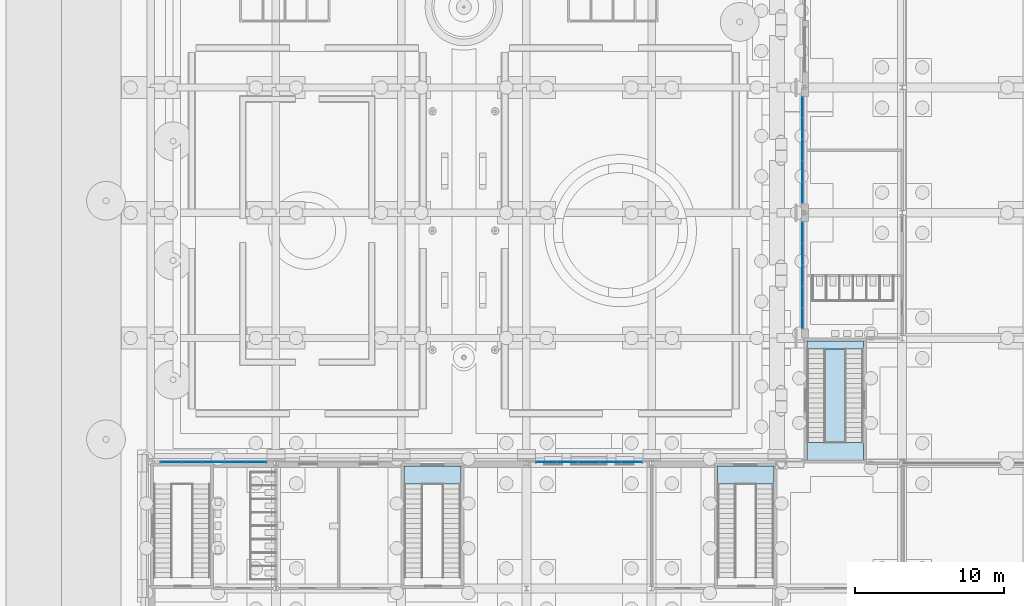
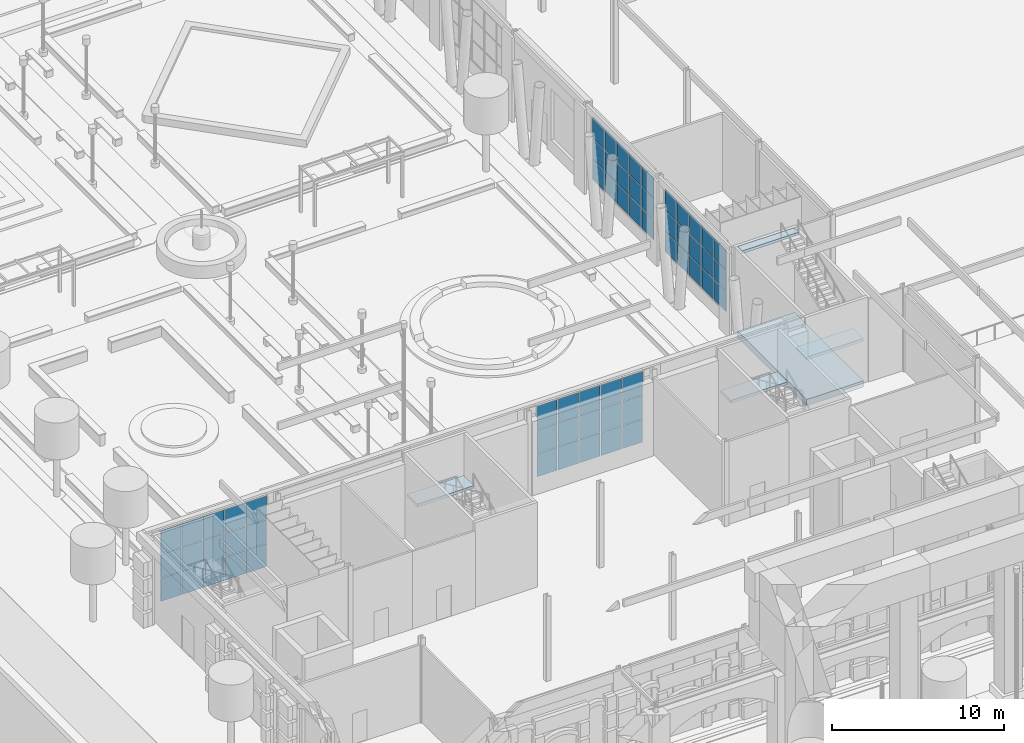
# One storey, part 77 of 222: 60 plates, 5 slabs, 7 elements without a shape of their own.
"""IFC4 building model written with IfcOpenShell, lengths in metres."""

from ifc_helpers import new_model, si_unit, direction, frame, origin, origin_2d, place, context, subcontext, project, spatial, polyline, rectangle, outline, extrude, material, layer, layer_set, type_object, element, aggregate, save


model = new_model("IFC4")

# Units and contexts
model_context = context("Model", 3, precision=1e-05, world=origin(), true_north=direction((0.0, 1.0)))
body_context = subcontext(model_context, "Body", "Model", "MODEL_VIEW")
ifc_project = project(units=[si_unit("LENGTHUNIT", "METRE"), si_unit("AREAUNIT", "SQUARE_METRE"), si_unit("VOLUMEUNIT", "CUBIC_METRE"), si_unit("PLANEANGLEUNIT", "RADIAN"), si_unit("MASSUNIT", "GRAM", prefix="KILO")], contexts=[model_context])

# Site, building, storey
site_placement = place(None, origin())
site = spatial("IfcSite", under=ifc_project, at=site_placement, CompositionType="ELEMENT")
building_placement = place(site_placement, origin())
building = spatial("IfcBuilding", under=site, at=building_placement, Name="Sava Quay Ferry Terminal", CompositionType="ELEMENT")
storey_placement = place(building_placement, origin())
storey = spatial("IfcBuildingStorey", under=building, at=storey_placement, Name="L00", CompositionType="ELEMENT", Elevation=0.0)

# Curtain wall, plates
ifc_material_1 = material(Name="Aluminium and glass curtain wall, double low-e glazed", Category="aluminium")
curtain_wall_type = type_object("IfcCurtainWallType", Name="Curtain wall CW-F flank", PredefinedType="NOTDEFINED", material=ifc_material_1)
curtain_wall_1_placement = place(storey_placement, origin())
curtain_wall_1 = element("IfcCurtainWall", 1, at=curtain_wall_1_placement, inside=storey, type_object=curtain_wall_type, Name="Curtain wall D-W L00 bay 2", PredefinedType="NOTDEFINED")
ifc_material_2 = material(Name="Laminated glass, double low-e glazed unit", Category="glass")
ifc_layer_1 = layer(ifc_material_2, 0.028076171875)
ifc_layer_set_1 = layer_set([ifc_layer_1], Name="Laminated glass, double low-e glazed unit")
plate_type = type_object("IfcPlateType", Name="Glass panel 28 double low-e", PredefinedType="CURTAIN_PANEL", material=ifc_layer_set_1)
plate_1_placement = place(storey_placement, frame((43.72509765625, 60.135009765625, 0.9501953125), z_axis=(0.0, 0.0, 1.0), x_axis=(0.0, 1.0, 0.0)))
plate_1 = element("IfcPlate", 2, at=plate_1_placement, type_object=plate_type, Name="CW99 panel 1.1", PredefinedType="CURTAIN_PANEL", context=body_context, shape_type="SweptSolid", body=[
    extrude(rectangle(XDim=1.35009765625, YDim=0.028076171875, at=origin_2d()), origin(), (0.0, 0.0, 1.0), 1.425048828125),
])
plate_2_placement = place(storey_placement, frame((43.72509765625, 60.135009765625, 2.4248046875), z_axis=(0.0, 0.0, 1.0), x_axis=(0.0, 1.0, 0.0)))
plate_2 = element("IfcPlate", 3, at=plate_2_placement, type_object=plate_type, Name="CW99 panel 1.2", PredefinedType="CURTAIN_PANEL", context=body_context, shape_type="SweptSolid", body=[
    extrude(rectangle(XDim=1.35009765625, YDim=0.028076171875, at=origin_2d()), origin(), (0.0, 0.0, 1.0), 1.449951171875),
])
plate_3_placement = place(storey_placement, frame((43.72509765625, 60.135009765625, 3.9248046875), z_axis=(0.0, 0.0, 1.0), x_axis=(0.0, 1.0, 0.0)))
plate_3 = element("IfcPlate", 4, at=plate_3_placement, type_object=plate_type, Name="CW99 panel 1.3", PredefinedType="CURTAIN_PANEL", context=body_context, shape_type="SweptSolid", body=[
    extrude(rectangle(XDim=1.35009765625, YDim=0.028076171875, at=origin_2d()), origin(), (0.0, 0.0, 1.0), 1.425048828125),
])
plate_4_placement = place(storey_placement, frame((43.72509765625, 61.56005859375, 0.9501953125), z_axis=(0.0, 0.0, 1.0), x_axis=(0.0, 1.0, 0.0)))
plate_4 = element("IfcPlate", 5, at=plate_4_placement, type_object=plate_type, Name="CW99 panel 2.1", PredefinedType="CURTAIN_PANEL", context=body_context, shape_type="SweptSolid", body=[
    extrude(rectangle(XDim=1.3798828125, YDim=0.028076171875, at=origin_2d()), origin(), (0.0, 0.0, 1.0), 1.425048828125),
])
plate_5_placement = place(storey_placement, frame((43.72509765625, 61.56005859375, 2.4248046875), z_axis=(0.0, 0.0, 1.0), x_axis=(0.0, 1.0, 0.0)))
plate_5 = element("IfcPlate", 6, at=plate_5_placement, type_object=plate_type, Name="CW99 panel 2.2", PredefinedType="CURTAIN_PANEL", context=body_context, shape_type="SweptSolid", body=[
    extrude(rectangle(XDim=1.3798828125, YDim=0.028076171875, at=origin_2d()), origin(), (0.0, 0.0, 1.0), 1.449951171875),
])
plate_6_placement = place(storey_placement, frame((43.72509765625, 61.56005859375, 3.9248046875), z_axis=(0.0, 0.0, 1.0), x_axis=(0.0, 1.0, 0.0)))
plate_6 = element("IfcPlate", 7, at=plate_6_placement, type_object=plate_type, Name="CW99 panel 2.3", PredefinedType="CURTAIN_PANEL", context=body_context, shape_type="SweptSolid", body=[
    extrude(rectangle(XDim=1.3798828125, YDim=0.028076171875, at=origin_2d()), origin(), (0.0, 0.0, 1.0), 1.425048828125),
])
plate_7_placement = place(storey_placement, frame((43.72509765625, 63.0, 0.9501953125), z_axis=(0.0, 0.0, 1.0), x_axis=(0.0, 1.0, 0.0)))
plate_7 = element("IfcPlate", 8, at=plate_7_placement, type_object=plate_type, Name="CW99 panel 3.1", PredefinedType="CURTAIN_PANEL", context=body_context, shape_type="SweptSolid", body=[
    extrude(rectangle(XDim=1.3798828125, YDim=0.028076171875, at=origin_2d()), origin(), (0.0, 0.0, 1.0), 1.425048828125),
])
plate_8_placement = place(storey_placement, frame((43.72509765625, 63.0, 2.4248046875), z_axis=(0.0, 0.0, 1.0), x_axis=(0.0, 1.0, 0.0)))
plate_8 = element("IfcPlate", 9, at=plate_8_placement, type_object=plate_type, Name="CW99 panel 3.2", PredefinedType="CURTAIN_PANEL", context=body_context, shape_type="SweptSolid", body=[
    extrude(rectangle(XDim=1.3798828125, YDim=0.028076171875, at=origin_2d()), origin(), (0.0, 0.0, 1.0), 1.449951171875),
])
plate_9_placement = place(storey_placement, frame((43.72509765625, 63.0, 3.9248046875), z_axis=(0.0, 0.0, 1.0), x_axis=(0.0, 1.0, 0.0)))
plate_9 = element("IfcPlate", 10, at=plate_9_placement, type_object=plate_type, Name="CW99 panel 3.3", PredefinedType="CURTAIN_PANEL", context=body_context, shape_type="SweptSolid", body=[
    extrude(rectangle(XDim=1.3798828125, YDim=0.028076171875, at=origin_2d()), origin(), (0.0, 0.0, 1.0), 1.425048828125),
])
plate_10_placement = place(storey_placement, frame((43.72509765625, 64.43994140625, 0.9501953125), z_axis=(0.0, 0.0, 1.0), x_axis=(0.0, 1.0, 0.0)))
plate_10 = element("IfcPlate", 11, at=plate_10_placement, type_object=plate_type, Name="CW99 panel 4.1", PredefinedType="CURTAIN_PANEL", context=body_context, shape_type="SweptSolid", body=[
    extrude(rectangle(XDim=1.3798828125, YDim=0.028076171875, at=origin_2d()), origin(), (0.0, 0.0, 1.0), 1.425048828125),
])
plate_11_placement = place(storey_placement, frame((43.72509765625, 64.43994140625, 2.4248046875), z_axis=(0.0, 0.0, 1.0), x_axis=(0.0, 1.0, 0.0)))
plate_11 = element("IfcPlate", 12, at=plate_11_placement, type_object=plate_type, Name="CW99 panel 4.2", PredefinedType="CURTAIN_PANEL", context=body_context, shape_type="SweptSolid", body=[
    extrude(rectangle(XDim=1.3798828125, YDim=0.028076171875, at=origin_2d()), origin(), (0.0, 0.0, 1.0), 1.449951171875),
])
plate_12_placement = place(storey_placement, frame((43.72509765625, 64.43994140625, 3.9248046875), z_axis=(0.0, 0.0, 1.0), x_axis=(0.0, 1.0, 0.0)))
plate_12 = element("IfcPlate", 13, at=plate_12_placement, type_object=plate_type, Name="CW99 panel 4.3", PredefinedType="CURTAIN_PANEL", context=body_context, shape_type="SweptSolid", body=[
    extrude(rectangle(XDim=1.3798828125, YDim=0.028076171875, at=origin_2d()), origin(), (0.0, 0.0, 1.0), 1.425048828125),
])
plate_13_placement = place(storey_placement, frame((43.72509765625, 65.864990234375, 0.9501953125), z_axis=(0.0, 0.0, 1.0), x_axis=(0.0, 1.0, 0.0)))
plate_13 = element("IfcPlate", 14, at=plate_13_placement, type_object=plate_type, Name="CW99 panel 5.1", PredefinedType="CURTAIN_PANEL", context=body_context, shape_type="SweptSolid", body=[
    extrude(rectangle(XDim=1.35009765625, YDim=0.028076171875, at=origin_2d()), origin(), (0.0, 0.0, 1.0), 1.425048828125),
])
plate_14_placement = place(storey_placement, frame((43.72509765625, 65.864990234375, 2.4248046875), z_axis=(0.0, 0.0, 1.0), x_axis=(0.0, 1.0, 0.0)))
plate_14 = element("IfcPlate", 15, at=plate_14_placement, type_object=plate_type, Name="CW99 panel 5.2", PredefinedType="CURTAIN_PANEL", context=body_context, shape_type="SweptSolid", body=[
    extrude(rectangle(XDim=1.35009765625, YDim=0.028076171875, at=origin_2d()), origin(), (0.0, 0.0, 1.0), 1.449951171875),
])
plate_15_placement = place(storey_placement, frame((43.72509765625, 65.864990234375, 3.9248046875), z_axis=(0.0, 0.0, 1.0), x_axis=(0.0, 1.0, 0.0)))
plate_15 = element("IfcPlate", 16, at=plate_15_placement, type_object=plate_type, Name="CW99 panel 5.3", PredefinedType="CURTAIN_PANEL", context=body_context, shape_type="SweptSolid", body=[
    extrude(rectangle(XDim=1.35009765625, YDim=0.028076171875, at=origin_2d()), origin(), (0.0, 0.0, 1.0), 1.425048828125),
])
aggregate(curtain_wall_1, [plate_1, plate_2, plate_3, plate_4, plate_5, plate_6, plate_7, plate_8, plate_9, plate_10, plate_11, plate_12, plate_13, plate_14, plate_15])

curtain_wall_2_placement = place(storey_placement, origin())
curtain_wall_2 = element("IfcCurtainWall", 17, at=curtain_wall_2_placement, inside=storey, type_object=curtain_wall_type, Name="Curtain wall D-W L00 bay 3", PredefinedType="NOTDEFINED")
plate_16_placement = place(storey_placement, frame((43.72509765625, 68.534912109375, 0.9501953125), z_axis=(0.0, 0.0, 1.0), x_axis=(0.0, 1.0, 0.0)))
plate_16 = element("IfcPlate", 18, at=plate_16_placement, type_object=plate_type, Name="CW103 panel 1.1", PredefinedType="CURTAIN_PANEL", context=body_context, shape_type="SweptSolid", body=[
    extrude(rectangle(XDim=1.35009765625, YDim=0.028076171875, at=origin_2d()), origin(), (0.0, 0.0, 1.0), 1.425048828125),
])
plate_17_placement = place(storey_placement, frame((43.72509765625, 68.534912109375, 2.4248046875), z_axis=(0.0, 0.0, 1.0), x_axis=(0.0, 1.0, 0.0)))
plate_17 = element("IfcPlate", 19, at=plate_17_placement, type_object=plate_type, Name="CW103 panel 1.2", PredefinedType="CURTAIN_PANEL", context=body_context, shape_type="SweptSolid", body=[
    extrude(rectangle(XDim=1.35009765625, YDim=0.028076171875, at=origin_2d()), origin(), (0.0, 0.0, 1.0), 1.449951171875),
])
plate_18_placement = place(storey_placement, frame((43.72509765625, 68.534912109375, 3.9248046875), z_axis=(0.0, 0.0, 1.0), x_axis=(0.0, 1.0, 0.0)))
plate_18 = element("IfcPlate", 20, at=plate_18_placement, type_object=plate_type, Name="CW103 panel 1.3", PredefinedType="CURTAIN_PANEL", context=body_context, shape_type="SweptSolid", body=[
    extrude(rectangle(XDim=1.35009765625, YDim=0.028076171875, at=origin_2d()), origin(), (0.0, 0.0, 1.0), 1.425048828125),
])
plate_19_placement = place(storey_placement, frame((43.72509765625, 69.9599609375, 0.9501953125), z_axis=(0.0, 0.0, 1.0), x_axis=(0.0, 1.0, 0.0)))
plate_19 = element("IfcPlate", 21, at=plate_19_placement, type_object=plate_type, Name="CW103 panel 2.1", PredefinedType="CURTAIN_PANEL", context=body_context, shape_type="SweptSolid", body=[
    extrude(rectangle(XDim=1.3798828125, YDim=0.028076171875, at=origin_2d()), origin(), (0.0, 0.0, 1.0), 1.425048828125),
])
plate_20_placement = place(storey_placement, frame((43.72509765625, 69.9599609375, 2.4248046875), z_axis=(0.0, 0.0, 1.0), x_axis=(0.0, 1.0, 0.0)))
plate_20 = element("IfcPlate", 22, at=plate_20_placement, type_object=plate_type, Name="CW103 panel 2.2", PredefinedType="CURTAIN_PANEL", context=body_context, shape_type="SweptSolid", body=[
    extrude(rectangle(XDim=1.3798828125, YDim=0.028076171875, at=origin_2d()), origin(), (0.0, 0.0, 1.0), 1.449951171875),
])
plate_21_placement = place(storey_placement, frame((43.72509765625, 69.9599609375, 3.9248046875), z_axis=(0.0, 0.0, 1.0), x_axis=(0.0, 1.0, 0.0)))
plate_21 = element("IfcPlate", 23, at=plate_21_placement, type_object=plate_type, Name="CW103 panel 2.3", PredefinedType="CURTAIN_PANEL", context=body_context, shape_type="SweptSolid", body=[
    extrude(rectangle(XDim=1.3798828125, YDim=0.028076171875, at=origin_2d()), origin(), (0.0, 0.0, 1.0), 1.425048828125),
])
plate_22_placement = place(storey_placement, frame((43.72509765625, 71.39990234375, 0.9501953125), z_axis=(0.0, 0.0, 1.0), x_axis=(0.0, 1.0, 0.0)))
plate_22 = element("IfcPlate", 24, at=plate_22_placement, type_object=plate_type, Name="CW103 panel 3.1", PredefinedType="CURTAIN_PANEL", context=body_context, shape_type="SweptSolid", body=[
    extrude(rectangle(XDim=1.3798828125, YDim=0.028076171875, at=origin_2d()), origin(), (0.0, 0.0, 1.0), 1.425048828125),
])
plate_23_placement = place(storey_placement, frame((43.72509765625, 71.39990234375, 2.4248046875), z_axis=(0.0, 0.0, 1.0), x_axis=(0.0, 1.0, 0.0)))
plate_23 = element("IfcPlate", 25, at=plate_23_placement, type_object=plate_type, Name="CW103 panel 3.2", PredefinedType="CURTAIN_PANEL", context=body_context, shape_type="SweptSolid", body=[
    extrude(rectangle(XDim=1.3798828125, YDim=0.028076171875, at=origin_2d()), origin(), (0.0, 0.0, 1.0), 1.449951171875),
])
plate_24_placement = place(storey_placement, frame((43.72509765625, 71.39990234375, 3.9248046875), z_axis=(0.0, 0.0, 1.0), x_axis=(0.0, 1.0, 0.0)))
plate_24 = element("IfcPlate", 26, at=plate_24_placement, type_object=plate_type, Name="CW103 panel 3.3", PredefinedType="CURTAIN_PANEL", context=body_context, shape_type="SweptSolid", body=[
    extrude(rectangle(XDim=1.3798828125, YDim=0.028076171875, at=origin_2d()), origin(), (0.0, 0.0, 1.0), 1.425048828125),
])
plate_25_placement = place(storey_placement, frame((43.72509765625, 72.840087890625, 0.9501953125), z_axis=(0.0, 0.0, 1.0), x_axis=(0.0, 1.0, 0.0)))
plate_25 = element("IfcPlate", 27, at=plate_25_placement, type_object=plate_type, Name="CW103 panel 4.1", PredefinedType="CURTAIN_PANEL", context=body_context, shape_type="SweptSolid", body=[
    extrude(rectangle(XDim=1.3798828125, YDim=0.028076171875, at=origin_2d()), origin(), (0.0, 0.0, 1.0), 1.425048828125),
])
plate_26_placement = place(storey_placement, frame((43.72509765625, 72.840087890625, 2.4248046875), z_axis=(0.0, 0.0, 1.0), x_axis=(0.0, 1.0, 0.0)))
plate_26 = element("IfcPlate", 28, at=plate_26_placement, type_object=plate_type, Name="CW103 panel 4.2", PredefinedType="CURTAIN_PANEL", context=body_context, shape_type="SweptSolid", body=[
    extrude(rectangle(XDim=1.3798828125, YDim=0.028076171875, at=origin_2d()), origin(), (0.0, 0.0, 1.0), 1.449951171875),
])
plate_27_placement = place(storey_placement, frame((43.72509765625, 72.840087890625, 3.9248046875), z_axis=(0.0, 0.0, 1.0), x_axis=(0.0, 1.0, 0.0)))
plate_27 = element("IfcPlate", 29, at=plate_27_placement, type_object=plate_type, Name="CW103 panel 4.3", PredefinedType="CURTAIN_PANEL", context=body_context, shape_type="SweptSolid", body=[
    extrude(rectangle(XDim=1.3798828125, YDim=0.028076171875, at=origin_2d()), origin(), (0.0, 0.0, 1.0), 1.425048828125),
])
plate_28_placement = place(storey_placement, frame((43.72509765625, 74.264892578125, 0.9501953125), z_axis=(0.0, 0.0, 1.0), x_axis=(0.0, 1.0, 0.0)))
plate_28 = element("IfcPlate", 30, at=plate_28_placement, type_object=plate_type, Name="CW103 panel 5.1", PredefinedType="CURTAIN_PANEL", context=body_context, shape_type="SweptSolid", body=[
    extrude(rectangle(XDim=1.35009765625, YDim=0.028076171875, at=origin_2d()), origin(), (0.0, 0.0, 1.0), 1.425048828125),
])
plate_29_placement = place(storey_placement, frame((43.72509765625, 74.264892578125, 2.4248046875), z_axis=(0.0, 0.0, 1.0), x_axis=(0.0, 1.0, 0.0)))
plate_29 = element("IfcPlate", 31, at=plate_29_placement, type_object=plate_type, Name="CW103 panel 5.2", PredefinedType="CURTAIN_PANEL", context=body_context, shape_type="SweptSolid", body=[
    extrude(rectangle(XDim=1.35009765625, YDim=0.028076171875, at=origin_2d()), origin(), (0.0, 0.0, 1.0), 1.449951171875),
])
plate_30_placement = place(storey_placement, frame((43.72509765625, 74.264892578125, 3.9248046875), z_axis=(0.0, 0.0, 1.0), x_axis=(0.0, 1.0, 0.0)))
plate_30 = element("IfcPlate", 32, at=plate_30_placement, type_object=plate_type, Name="CW103 panel 5.3", PredefinedType="CURTAIN_PANEL", context=body_context, shape_type="SweptSolid", body=[
    extrude(rectangle(XDim=1.35009765625, YDim=0.028076171875, at=origin_2d()), origin(), (0.0, 0.0, 1.0), 1.425048828125),
])
aggregate(curtain_wall_2, [plate_16, plate_17, plate_18, plate_19, plate_20, plate_21, plate_22, plate_23, plate_24, plate_25, plate_26, plate_27, plate_28, plate_29, plate_30])

curtain_wall_3_placement = place(storey_placement, origin())
curtain_wall_3 = element("IfcCurtainWall", 33, at=curtain_wall_3_placement, inside=storey, type_object=curtain_wall_type, Name="Curtain wall W-N L00 bay 1", PredefinedType="NOTDEFINED")
plate_31_placement = place(storey_placement, frame((1.3349609375, 50.485107421875, 0.949951171875), z_axis=(0.0, 0.0, 1.0), x_axis=(1.0, 0.0, 0.0)))
plate_31 = element("IfcPlate", 34, at=plate_31_placement, type_object=plate_type, Name="CW119 panel 1.1", PredefinedType="CURTAIN_PANEL", context=body_context, shape_type="SweptSolid", body=[
    extrude(rectangle(XDim=1.35009765625, YDim=0.028076171875, at=origin_2d()), origin(), (0.0, 0.0, 1.0), 1.625),
])
plate_32_placement = place(storey_placement, frame((1.3349609375, 50.485107421875, 2.625), z_axis=(0.0, 0.0, 1.0), x_axis=(1.0, 0.0, 0.0)))
plate_32 = element("IfcPlate", 35, at=plate_32_placement, type_object=plate_type, Name="CW119 panel 1.2", PredefinedType="CURTAIN_PANEL", context=body_context, shape_type="SweptSolid", body=[
    extrude(rectangle(XDim=1.35009765625, YDim=0.028076171875, at=origin_2d()), origin(), (0.0, 0.0, 1.0), 1.64990234375),
])
plate_33_placement = place(storey_placement, frame((1.3349609375, 50.485107421875, 4.324951171875), z_axis=(0.0, 0.0, 1.0), x_axis=(1.0, 0.0, 0.0)))
plate_33 = element("IfcPlate", 36, at=plate_33_placement, type_object=plate_type, Name="CW119 panel 1.3", PredefinedType="CURTAIN_PANEL", context=body_context, shape_type="SweptSolid", body=[
    extrude(rectangle(XDim=1.35009765625, YDim=0.028076171875, at=origin_2d()), origin(), (0.0, 0.0, 1.0), 1.625),
])
plate_34_placement = place(storey_placement, frame((2.760009765625, 50.485107421875, 0.949951171875), z_axis=(0.0, 0.0, 1.0), x_axis=(1.0, 0.0, 0.0)))
plate_34 = element("IfcPlate", 37, at=plate_34_placement, type_object=plate_type, Name="CW119 panel 2.1", PredefinedType="CURTAIN_PANEL", context=body_context, shape_type="SweptSolid", body=[
    extrude(rectangle(XDim=1.3798828125, YDim=0.028076171875, at=origin_2d()), origin(), (0.0, 0.0, 1.0), 1.625),
])
plate_35_placement = place(storey_placement, frame((2.760009765625, 50.485107421875, 2.625), z_axis=(0.0, 0.0, 1.0), x_axis=(1.0, 0.0, 0.0)))
plate_35 = element("IfcPlate", 38, at=plate_35_placement, type_object=plate_type, Name="CW119 panel 2.2", PredefinedType="CURTAIN_PANEL", context=body_context, shape_type="SweptSolid", body=[
    extrude(rectangle(XDim=1.3798828125, YDim=0.028076171875, at=origin_2d()), origin(), (0.0, 0.0, 1.0), 1.64990234375),
])
plate_36_placement = place(storey_placement, frame((2.760009765625, 50.485107421875, 4.324951171875), z_axis=(0.0, 0.0, 1.0), x_axis=(1.0, 0.0, 0.0)))
plate_36 = element("IfcPlate", 39, at=plate_36_placement, type_object=plate_type, Name="CW119 panel 2.3", PredefinedType="CURTAIN_PANEL", context=body_context, shape_type="SweptSolid", body=[
    extrude(rectangle(XDim=1.3798828125, YDim=0.028076171875, at=origin_2d()), origin(), (0.0, 0.0, 1.0), 1.625),
])
plate_37_placement = place(storey_placement, frame((4.199951171875, 50.485107421875, 0.949951171875), z_axis=(0.0, 0.0, 1.0), x_axis=(1.0, 0.0, 0.0)))
plate_37 = element("IfcPlate", 40, at=plate_37_placement, type_object=plate_type, Name="CW119 panel 3.1", PredefinedType="CURTAIN_PANEL", context=body_context, shape_type="SweptSolid", body=[
    extrude(rectangle(XDim=1.3798828125, YDim=0.028076171875, at=origin_2d()), origin(), (0.0, 0.0, 1.0), 1.625),
])
plate_38_placement = place(storey_placement, frame((4.199951171875, 50.485107421875, 2.625), z_axis=(0.0, 0.0, 1.0), x_axis=(1.0, 0.0, 0.0)))
plate_38 = element("IfcPlate", 41, at=plate_38_placement, type_object=plate_type, Name="CW119 panel 3.2", PredefinedType="CURTAIN_PANEL", context=body_context, shape_type="SweptSolid", body=[
    extrude(rectangle(XDim=1.3798828125, YDim=0.028076171875, at=origin_2d()), origin(), (0.0, 0.0, 1.0), 1.64990234375),
])
plate_39_placement = place(storey_placement, frame((4.199951171875, 50.485107421875, 4.324951171875), z_axis=(0.0, 0.0, 1.0), x_axis=(1.0, 0.0, 0.0)))
plate_39 = element("IfcPlate", 42, at=plate_39_placement, type_object=plate_type, Name="CW119 panel 3.3", PredefinedType="CURTAIN_PANEL", context=body_context, shape_type="SweptSolid", body=[
    extrude(rectangle(XDim=1.3798828125, YDim=0.028076171875, at=origin_2d()), origin(), (0.0, 0.0, 1.0), 1.625),
])
plate_40_placement = place(storey_placement, frame((5.639892578125, 50.485107421875, 0.949951171875), z_axis=(0.0, 0.0, 1.0), x_axis=(1.0, 0.0, 0.0)))
plate_40 = element("IfcPlate", 43, at=plate_40_placement, type_object=plate_type, Name="CW119 panel 4.1", PredefinedType="CURTAIN_PANEL", context=body_context, shape_type="SweptSolid", body=[
    extrude(rectangle(XDim=1.3798828125, YDim=0.028076171875, at=origin_2d()), origin(), (0.0, 0.0, 1.0), 1.625),
])
plate_41_placement = place(storey_placement, frame((5.639892578125, 50.485107421875, 2.625), z_axis=(0.0, 0.0, 1.0), x_axis=(1.0, 0.0, 0.0)))
plate_41 = element("IfcPlate", 44, at=plate_41_placement, type_object=plate_type, Name="CW119 panel 4.2", PredefinedType="CURTAIN_PANEL", context=body_context, shape_type="SweptSolid", body=[
    extrude(rectangle(XDim=1.3798828125, YDim=0.028076171875, at=origin_2d()), origin(), (0.0, 0.0, 1.0), 1.64990234375),
])
plate_42_placement = place(storey_placement, frame((5.639892578125, 50.485107421875, 4.324951171875), z_axis=(0.0, 0.0, 1.0), x_axis=(1.0, 0.0, 0.0)))
plate_42 = element("IfcPlate", 45, at=plate_42_placement, type_object=plate_type, Name="CW119 panel 4.3", PredefinedType="CURTAIN_PANEL", context=body_context, shape_type="SweptSolid", body=[
    extrude(rectangle(XDim=1.3798828125, YDim=0.028076171875, at=origin_2d()), origin(), (0.0, 0.0, 1.0), 1.625),
])
plate_43_placement = place(storey_placement, frame((7.06494140625, 50.485107421875, 0.949951171875), z_axis=(0.0, 0.0, 1.0), x_axis=(1.0, 0.0, 0.0)))
plate_43 = element("IfcPlate", 46, at=plate_43_placement, type_object=plate_type, Name="CW119 panel 5.1", PredefinedType="CURTAIN_PANEL", context=body_context, shape_type="SweptSolid", body=[
    extrude(rectangle(XDim=1.35009765625, YDim=0.028076171875, at=origin_2d()), origin(), (0.0, 0.0, 1.0), 1.625),
])
plate_44_placement = place(storey_placement, frame((7.06494140625, 50.485107421875, 2.625), z_axis=(0.0, 0.0, 1.0), x_axis=(1.0, 0.0, 0.0)))
plate_44 = element("IfcPlate", 47, at=plate_44_placement, type_object=plate_type, Name="CW119 panel 5.2", PredefinedType="CURTAIN_PANEL", context=body_context, shape_type="SweptSolid", body=[
    extrude(rectangle(XDim=1.35009765625, YDim=0.028076171875, at=origin_2d()), origin(), (0.0, 0.0, 1.0), 1.64990234375),
])
plate_45_placement = place(storey_placement, frame((7.06494140625, 50.485107421875, 4.324951171875), z_axis=(0.0, 0.0, 1.0), x_axis=(1.0, 0.0, 0.0)))
plate_45 = element("IfcPlate", 48, at=plate_45_placement, type_object=plate_type, Name="CW119 panel 5.3", PredefinedType="CURTAIN_PANEL", context=body_context, shape_type="SweptSolid", body=[
    extrude(rectangle(XDim=1.35009765625, YDim=0.028076171875, at=origin_2d()), origin(), (0.0, 0.0, 1.0), 1.625),
])
aggregate(curtain_wall_3, [plate_31, plate_32, plate_33, plate_34, plate_35, plate_36, plate_37, plate_38, plate_39, plate_40, plate_41, plate_42, plate_43, plate_44, plate_45])

curtain_wall_4_placement = place(storey_placement, origin())
curtain_wall_4 = element("IfcCurtainWall", 49, at=curtain_wall_4_placement, inside=storey, type_object=curtain_wall_type, Name="Curtain wall W-N L00 bay 4", PredefinedType="NOTDEFINED")
plate_46_placement = place(storey_placement, frame((26.534912109375, 50.485107421875, 0.949951171875), z_axis=(0.0, 0.0, 1.0), x_axis=(1.0, 0.0, 0.0)))
plate_46 = element("IfcPlate", 50, at=plate_46_placement, type_object=plate_type, Name="CW120 panel 1.1", PredefinedType="CURTAIN_PANEL", context=body_context, shape_type="SweptSolid", body=[
    extrude(rectangle(XDim=1.35009765625, YDim=0.028076171875, at=origin_2d()), origin(), (0.0, 0.0, 1.0), 1.625),
])
plate_47_placement = place(storey_placement, frame((26.534912109375, 50.485107421875, 2.625), z_axis=(0.0, 0.0, 1.0), x_axis=(1.0, 0.0, 0.0)))
plate_47 = element("IfcPlate", 51, at=plate_47_placement, type_object=plate_type, Name="CW120 panel 1.2", PredefinedType="CURTAIN_PANEL", context=body_context, shape_type="SweptSolid", body=[
    extrude(rectangle(XDim=1.35009765625, YDim=0.028076171875, at=origin_2d()), origin(), (0.0, 0.0, 1.0), 1.64990234375),
])
plate_48_placement = place(storey_placement, frame((26.534912109375, 50.485107421875, 4.324951171875), z_axis=(0.0, 0.0, 1.0), x_axis=(1.0, 0.0, 0.0)))
plate_48 = element("IfcPlate", 52, at=plate_48_placement, type_object=plate_type, Name="CW120 panel 1.3", PredefinedType="CURTAIN_PANEL", context=body_context, shape_type="SweptSolid", body=[
    extrude(rectangle(XDim=1.35009765625, YDim=0.028076171875, at=origin_2d()), origin(), (0.0, 0.0, 1.0), 1.625),
])
plate_49_placement = place(storey_placement, frame((27.9599609375, 50.485107421875, 0.949951171875), z_axis=(0.0, 0.0, 1.0), x_axis=(1.0, 0.0, 0.0)))
plate_49 = element("IfcPlate", 53, at=plate_49_placement, type_object=plate_type, Name="CW120 panel 2.1", PredefinedType="CURTAIN_PANEL", context=body_context, shape_type="SweptSolid", body=[
    extrude(rectangle(XDim=1.3798828125, YDim=0.028076171875, at=origin_2d()), origin(), (0.0, 0.0, 1.0), 1.625),
])
plate_50_placement = place(storey_placement, frame((27.9599609375, 50.485107421875, 2.625), z_axis=(0.0, 0.0, 1.0), x_axis=(1.0, 0.0, 0.0)))
plate_50 = element("IfcPlate", 54, at=plate_50_placement, type_object=plate_type, Name="CW120 panel 2.2", PredefinedType="CURTAIN_PANEL", context=body_context, shape_type="SweptSolid", body=[
    extrude(rectangle(XDim=1.3798828125, YDim=0.028076171875, at=origin_2d()), origin(), (0.0, 0.0, 1.0), 1.64990234375),
])
plate_51_placement = place(storey_placement, frame((27.9599609375, 50.485107421875, 4.324951171875), z_axis=(0.0, 0.0, 1.0), x_axis=(1.0, 0.0, 0.0)))
plate_51 = element("IfcPlate", 55, at=plate_51_placement, type_object=plate_type, Name="CW120 panel 2.3", PredefinedType="CURTAIN_PANEL", context=body_context, shape_type="SweptSolid", body=[
    extrude(rectangle(XDim=1.3798828125, YDim=0.028076171875, at=origin_2d()), origin(), (0.0, 0.0, 1.0), 1.625),
])
plate_52_placement = place(storey_placement, frame((29.39990234375, 50.485107421875, 0.949951171875), z_axis=(0.0, 0.0, 1.0), x_axis=(1.0, 0.0, 0.0)))
plate_52 = element("IfcPlate", 56, at=plate_52_placement, type_object=plate_type, Name="CW120 panel 3.1", PredefinedType="CURTAIN_PANEL", context=body_context, shape_type="SweptSolid", body=[
    extrude(rectangle(XDim=1.3798828125, YDim=0.028076171875, at=origin_2d()), origin(), (0.0, 0.0, 1.0), 1.625),
])
plate_53_placement = place(storey_placement, frame((29.39990234375, 50.485107421875, 2.625), z_axis=(0.0, 0.0, 1.0), x_axis=(1.0, 0.0, 0.0)))
plate_53 = element("IfcPlate", 57, at=plate_53_placement, type_object=plate_type, Name="CW120 panel 3.2", PredefinedType="CURTAIN_PANEL", context=body_context, shape_type="SweptSolid", body=[
    extrude(rectangle(XDim=1.3798828125, YDim=0.028076171875, at=origin_2d()), origin(), (0.0, 0.0, 1.0), 1.64990234375),
])
plate_54_placement = place(storey_placement, frame((29.39990234375, 50.485107421875, 4.324951171875), z_axis=(0.0, 0.0, 1.0), x_axis=(1.0, 0.0, 0.0)))
plate_54 = element("IfcPlate", 58, at=plate_54_placement, type_object=plate_type, Name="CW120 panel 3.3", PredefinedType="CURTAIN_PANEL", context=body_context, shape_type="SweptSolid", body=[
    extrude(rectangle(XDim=1.3798828125, YDim=0.028076171875, at=origin_2d()), origin(), (0.0, 0.0, 1.0), 1.625),
])
plate_55_placement = place(storey_placement, frame((30.840087890625, 50.485107421875, 0.949951171875), z_axis=(0.0, 0.0, 1.0), x_axis=(1.0, 0.0, 0.0)))
plate_55 = element("IfcPlate", 59, at=plate_55_placement, type_object=plate_type, Name="CW120 panel 4.1", PredefinedType="CURTAIN_PANEL", context=body_context, shape_type="SweptSolid", body=[
    extrude(rectangle(XDim=1.3798828125, YDim=0.028076171875, at=origin_2d()), origin(), (0.0, 0.0, 1.0), 1.625),
])
plate_56_placement = place(storey_placement, frame((30.840087890625, 50.485107421875, 2.625), z_axis=(0.0, 0.0, 1.0), x_axis=(1.0, 0.0, 0.0)))
plate_56 = element("IfcPlate", 60, at=plate_56_placement, type_object=plate_type, Name="CW120 panel 4.2", PredefinedType="CURTAIN_PANEL", context=body_context, shape_type="SweptSolid", body=[
    extrude(rectangle(XDim=1.3798828125, YDim=0.028076171875, at=origin_2d()), origin(), (0.0, 0.0, 1.0), 1.64990234375),
])
plate_57_placement = place(storey_placement, frame((30.840087890625, 50.485107421875, 4.324951171875), z_axis=(0.0, 0.0, 1.0), x_axis=(1.0, 0.0, 0.0)))
plate_57 = element("IfcPlate", 61, at=plate_57_placement, type_object=plate_type, Name="CW120 panel 4.3", PredefinedType="CURTAIN_PANEL", context=body_context, shape_type="SweptSolid", body=[
    extrude(rectangle(XDim=1.3798828125, YDim=0.028076171875, at=origin_2d()), origin(), (0.0, 0.0, 1.0), 1.625),
])
plate_58_placement = place(storey_placement, frame((32.264892578125, 50.485107421875, 0.949951171875), z_axis=(0.0, 0.0, 1.0), x_axis=(1.0, 0.0, 0.0)))
plate_58 = element("IfcPlate", 62, at=plate_58_placement, type_object=plate_type, Name="CW120 panel 5.1", PredefinedType="CURTAIN_PANEL", context=body_context, shape_type="SweptSolid", body=[
    extrude(rectangle(XDim=1.35009765625, YDim=0.028076171875, at=origin_2d()), origin(), (0.0, 0.0, 1.0), 1.625),
])
plate_59_placement = place(storey_placement, frame((32.264892578125, 50.485107421875, 2.625), z_axis=(0.0, 0.0, 1.0), x_axis=(1.0, 0.0, 0.0)))
plate_59 = element("IfcPlate", 63, at=plate_59_placement, type_object=plate_type, Name="CW120 panel 5.2", PredefinedType="CURTAIN_PANEL", context=body_context, shape_type="SweptSolid", body=[
    extrude(rectangle(XDim=1.35009765625, YDim=0.028076171875, at=origin_2d()), origin(), (0.0, 0.0, 1.0), 1.64990234375),
])
plate_60_placement = place(storey_placement, frame((32.264892578125, 50.485107421875, 4.324951171875), z_axis=(0.0, 0.0, 1.0), x_axis=(1.0, 0.0, 0.0)))
plate_60 = element("IfcPlate", 64, at=plate_60_placement, type_object=plate_type, Name="CW120 panel 5.3", PredefinedType="CURTAIN_PANEL", context=body_context, shape_type="SweptSolid", body=[
    extrude(rectangle(XDim=1.35009765625, YDim=0.028076171875, at=origin_2d()), origin(), (0.0, 0.0, 1.0), 1.625),
])
aggregate(curtain_wall_4, [plate_46, plate_47, plate_48, plate_49, plate_50, plate_51, plate_52, plate_53, plate_54, plate_55, plate_56, plate_57, plate_58, plate_59, plate_60])

# Slab
ifc_material_3 = material(Name="Concrete C40/50", Category="concrete")
ifc_layer_2 = layer(ifc_material_3, 0.449951171875)
ifc_layer_set_2 = layer_set([ifc_layer_2], Name="Concrete C40/50")
slab_type_1 = type_object("IfcSlabType", Name="RC deck slab 450", PredefinedType="FLOOR", material=ifc_layer_set_2)
slab_1_placement = place(storey_placement, frame((0.0, 0.0, -0.449951171875)))
element("IfcSlab", 65, at=slab_1_placement, inside=storey, type_object=slab_type_1, Name="Stair floor ST-D1", PredefinedType="FLOOR", context=body_context, shape_type="SweptSolid", body=[
    extrude(outline(polyline([(44.0, 50.60009765625), (47.800048828125, 50.60009765625), (47.800048828125, 58.60009765625), (44.0, 58.60009765625), (44.0, 50.60009765625)])), origin(), (0.0, 0.0, 1.0), 0.449951171875),
])

# Stair, slab
ifc_material_4 = material(Name="Concrete C30/37", Category="concrete")
stair_type = type_object("IfcStairType", Name="Stair 1200 half landing", PredefinedType="HALF_TURN_STAIR", material=ifc_material_4)
stair_1_placement = place(storey_placement, origin())
stair_1 = element("IfcStair", 66, at=stair_1_placement, inside=storey, type_object=stair_type, Name="Stair ST-D1 L00", PredefinedType="HALF_TURN_STAIR")
ifc_material_5 = material(Name="Concrete C30/37", Category="concrete")
ifc_layer_3 = layer(ifc_material_5, 0.199951171875)
ifc_layer_set_3 = layer_set([ifc_layer_3], Name="Concrete C30/37")
slab_type_2 = type_object("IfcSlabType", Name="Stair head floor 200", PredefinedType="FLOOR", material=ifc_layer_set_3)
slab_2_placement = place(storey_placement, frame((0.0, 0.0, 5.800048828125)))
slab_2 = element("IfcSlab", 67, at=slab_2_placement, type_object=slab_type_2, Name="ST-D1 head floor L01", PredefinedType="FLOOR", context=body_context, shape_type="SweptSolid", body=[
    extrude(outline(polyline([(44.0, 58.070068359375), (44.0, 58.60009765625), (47.800048828125, 58.60009765625), (47.800048828125, 58.070068359375), (44.0, 58.070068359375)])), origin(), (0.0, 0.0, 1.0), 0.199951171875),
])

stair_2_placement = place(storey_placement, origin())
stair_2 = element("IfcStair", 68, at=stair_2_placement, inside=storey, type_object=stair_type, Name="Stair ST-W3 L00", PredefinedType="HALF_TURN_STAIR")
ifc_material_6 = material(Name="Concrete C30/37", Category="concrete")
ifc_layer_4 = layer(ifc_material_6, 0.199951171875)
ifc_layer_set_4 = layer_set([ifc_layer_4], Name="Concrete C30/37")
slab_type_3 = type_object("IfcSlabType", Name="Stair landing 200", PredefinedType="LANDING", material=ifc_layer_set_4)
slab_3_placement = place(storey_placement, frame((0.0, 0.0, 2.800048828125)))
slab_3 = element("IfcSlab", 69, at=slab_3_placement, type_object=slab_type_3, Name="ST-W3 landing 1", PredefinedType="LANDING", context=body_context, shape_type="SweptSolid", body=[
    extrude(outline(polyline([(17.0, 49.0), (17.0, 50.199951171875), (20.800048828125, 50.199951171875), (20.800048828125, 49.0), (17.0, 49.0)])), origin(), (0.0, 0.0, 1.0), 0.199951171875),
])
aggregate(stair_2, [slab_3])

stair_3_placement = place(storey_placement, origin())
stair_3 = element("IfcStair", 70, at=stair_3_placement, inside=storey, type_object=stair_type, Name="Stair ST-W2 L00", PredefinedType="HALF_TURN_STAIR")
slab_4_placement = place(storey_placement, frame((0.0, 0.0, 2.800048828125)))
slab_4 = element("IfcSlab", 71, at=slab_4_placement, type_object=slab_type_3, Name="ST-W2 landing 1", PredefinedType="LANDING", context=body_context, shape_type="SweptSolid", body=[
    extrude(outline(polyline([(38.0, 49.0), (38.0, 50.199951171875), (41.800048828125, 50.199951171875), (41.800048828125, 49.0), (38.0, 49.0)])), origin(), (0.0, 0.0, 1.0), 0.199951171875),
])
aggregate(stair_3, [slab_4])

# Slab
slab_5_placement = place(storey_placement, frame((0.0, 0.0, 2.800048828125)))
slab_5 = element("IfcSlab", 72, at=slab_5_placement, type_object=slab_type_3, Name="ST-D1 landing 1", PredefinedType="LANDING", context=body_context, shape_type="SweptSolid", body=[
    extrude(outline(polyline([(44.0, 50.60009765625), (44.0, 51.800048828125), (47.800048828125, 51.800048828125), (47.800048828125, 50.60009765625), (44.0, 50.60009765625)])), origin(), (0.0, 0.0, 1.0), 0.199951171875),
])

aggregate(stair_1, [slab_5, slab_2])

save(model, "model.ifc")
